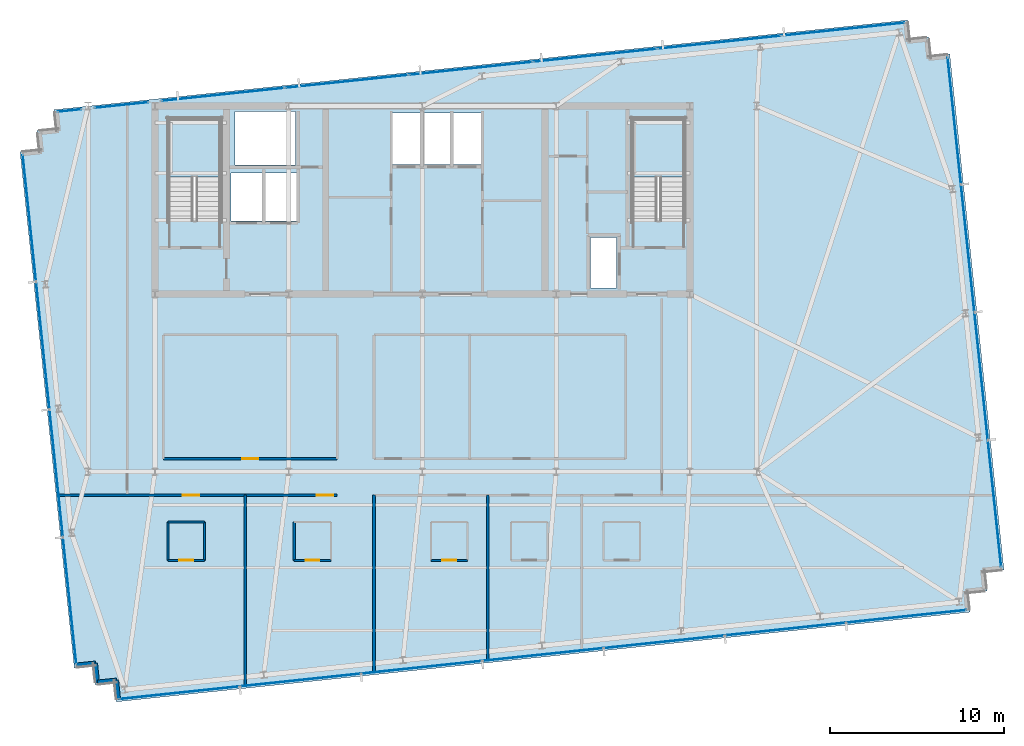
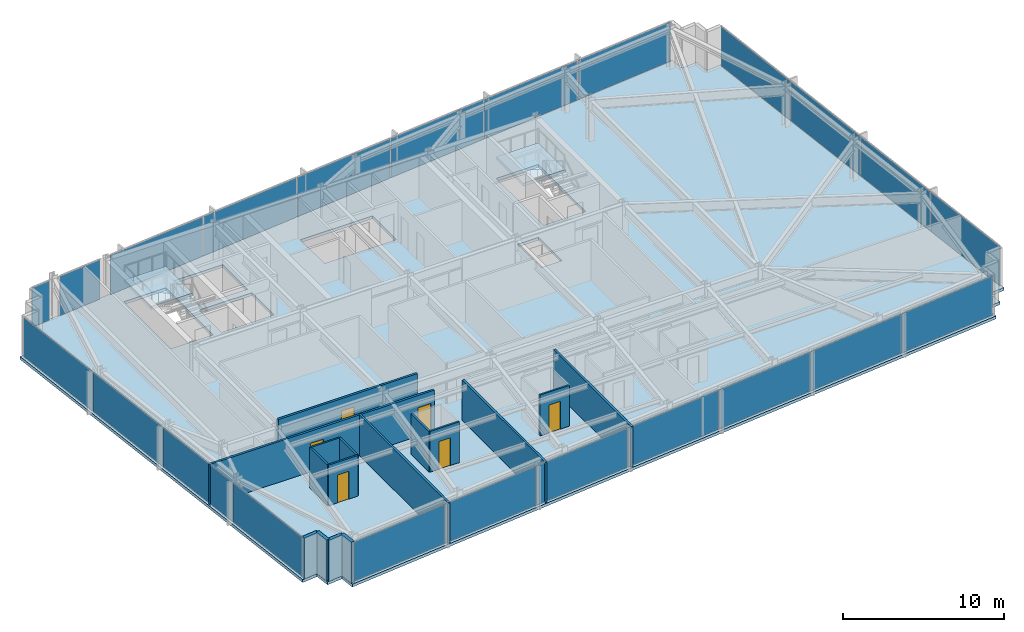
# One storey, part 26 of 33: 23 plates, 16 walls, 6 doors, 3 slabs, 6 openings, 8 elements without a shape of their own.
"""IFC4 building model written with IfcOpenShell, lengths in metres."""

from ifc_helpers import new_model, si_unit, direction, frame, frame_2d, origin, origin_2d, place, context, subcontext, project, spatial, polyline, rectangle, outline, extrude, material, layer, layer_set, type_object, element, fill, aggregate, save


model = new_model("IFC4")

# Units and contexts
model_context = context("Model", 3, precision=1e-05, world=origin(), true_north=direction((0.0, 1.0)))
body_context = subcontext(model_context, "Body", "Model", "MODEL_VIEW")
ifc_project = project(units=[si_unit("LENGTHUNIT", "METRE"), si_unit("AREAUNIT", "SQUARE_METRE"), si_unit("VOLUMEUNIT", "CUBIC_METRE"), si_unit("PLANEANGLEUNIT", "RADIAN"), si_unit("MASSUNIT", "GRAM", prefix="KILO")], contexts=[model_context])

# Site, building, storey
site_placement = place(None, origin())
site = spatial("IfcSite", under=ifc_project, at=site_placement, CompositionType="ELEMENT")
building_placement = place(site_placement, origin())
building = spatial("IfcBuilding", under=site, at=building_placement, Name="Yelkora Congress Tower", CompositionType="ELEMENT")
storey_placement = place(building_placement, frame((0.0, 0.0, 224.300048828125)))
storey = spatial("IfcBuildingStorey", under=building, at=storey_placement, Name="L62", CompositionType="ELEMENT", Elevation=224.300048828125)

# Curtain wall, plates
ifc_material_1 = material(Name="Anodised aluminium and insulated glass", Category="aluminium")
curtain_wall_type = type_object("IfcCurtainWallType", Name="CW-SYS-B4", PredefinedType="NOTDEFINED", material=ifc_material_1)
curtain_wall_1_placement = place(storey_placement, origin())
curtain_wall_1 = element("IfcCurtainWall", 1, at=curtain_wall_1_placement, inside=storey, type_object=curtain_wall_type, Name="L62 Unitised Curtain Wall 5", PredefinedType="NOTDEFINED")
ifc_material_2 = material(Name="Triple-silver diplomatic glass unit B4", Category="glass")
ifc_layer_1 = layer(ifc_material_2, 0.035888671875)
ifc_layer_set_1 = layer_set([ifc_layer_1], Name="Triple-silver diplomatic glass unit B4")
plate_type = type_object("IfcPlateType", Name="PLT-PN-B4", PredefinedType="CURTAIN_PANEL", material=ifc_layer_set_1)
plate_1_placement = place(storey_placement, frame((18.139404296875, 17.7724609375, 0.06005859375), z_axis=(0.0, 0.0, 1.0), x_axis=(-0.104526079034, 0.994522145958, 0.0)))
plate_1 = element("IfcPlate", 2, at=plate_1_placement, type_object=plate_type, Name="CW-B4 panel 1.1", PredefinedType="CURTAIN_PANEL", context=body_context, shape_type="SweptSolid", body=[
    extrude(rectangle(XDim=7.282470703125, YDim=0.035888671875, at=origin_2d()), origin(), (0.0, 0.0, 1.0), 2.9599609375),
])
plate_2_placement = place(storey_placement, frame((17.36962890625, 25.095703125, 0.06005859375), z_axis=(0.0, 0.0, 1.0), x_axis=(-0.104526079034, 0.994522145958, 0.0)))
plate_2 = element("IfcPlate", 3, at=plate_2_placement, type_object=plate_type, Name="CW-B4 panel 2.1", PredefinedType="CURTAIN_PANEL", context=body_context, shape_type="SweptSolid", body=[
    extrude(rectangle(XDim=7.31494140625, YDim=0.035888671875, at=origin_2d()), origin(), (0.0, 0.0, 1.0), 2.9599609375),
])
plate_3_placement = place(storey_placement, frame((16.59814453125, 32.435302734375, 0.06005859375), z_axis=(0.0, 0.0, 1.0), x_axis=(-0.104526079034, 0.994522145958, 0.0)))
plate_3 = element("IfcPlate", 4, at=plate_3_placement, type_object=plate_type, Name="CW-B4 panel 3.1", PredefinedType="CURTAIN_PANEL", context=body_context, shape_type="SweptSolid", body=[
    extrude(rectangle(XDim=7.31494140625, YDim=0.035888671875, at=origin_2d()), origin(), (0.0, 0.0, 1.0), 2.9599609375),
])
plate_4_placement = place(storey_placement, frame((15.82861328125, 39.7587890625, 0.06005859375), z_axis=(0.0, 0.0, 1.0), x_axis=(-0.104526079034, 0.994522145958, 0.0)))
plate_4 = element("IfcPlate", 5, at=plate_4_placement, type_object=plate_type, Name="CW-B4 panel 4.1", PredefinedType="CURTAIN_PANEL", context=body_context, shape_type="SweptSolid", body=[
    extrude(rectangle(XDim=7.282470703125, YDim=0.035888671875, at=origin_2d()), origin(), (0.0, 0.0, 1.0), 2.9599609375),
])
aggregate(curtain_wall_1, [plate_1, plate_2, plate_3, plate_4])

# Curtain wall, plate
curtain_wall_2_placement = place(storey_placement, origin())
curtain_wall_2 = element("IfcCurtainWall", 6, at=curtain_wall_2_placement, inside=storey, type_object=curtain_wall_type, Name="L62 Unitised Curtain Wall 10 (1)", PredefinedType="NOTDEFINED")
plate_5_placement = place(storey_placement, frame((18.136474609375, 45.940185546875, 0.06005859375), z_axis=(0.0, 0.0, 1.0), x_axis=(0.994523910137, 0.104509292244, 0.0)))
plate_5 = element("IfcPlate", 7, at=plate_5_placement, type_object=plate_type, Name="CW-B4 panel 1.1", PredefinedType="CURTAIN_PANEL", context=body_context, shape_type="SweptSolid", body=[
    extrude(rectangle(XDim=1.35302734375, YDim=0.035888671875, at=origin_2d()), origin(), (0.0, 0.0, 1.0), 2.9599609375),
])
aggregate(curtain_wall_2, [plate_5])

curtain_wall_3_placement = place(storey_placement, origin())
curtain_wall_3 = element("IfcCurtainWall", 8, at=curtain_wall_3_placement, inside=storey, type_object=curtain_wall_type, Name="L62 Unitised Curtain Wall 10 (2)", PredefinedType="NOTDEFINED")
plate_6_placement = place(storey_placement, frame((21.1201171875, 46.253662109375, 0.06005859375), z_axis=(0.0, 0.0, 1.0), x_axis=(0.994524239868, 0.104506154437, 0.0)))
plate_6 = element("IfcPlate", 9, at=plate_6_placement, type_object=plate_type, Name="CW-B4 panel 1.1", PredefinedType="CURTAIN_PANEL", context=body_context, shape_type="SweptSolid", body=[
    extrude(rectangle(XDim=3.075439453125, YDim=0.035888671875, at=origin_2d()), origin(), (0.0, 0.0, 1.0), 2.9599609375),
])
aggregate(curtain_wall_3, [plate_6])

# Curtain wall, plates
curtain_wall_4_placement = place(storey_placement, origin())
curtain_wall_4 = element("IfcCurtainWall", 10, at=curtain_wall_4_placement, inside=storey, type_object=curtain_wall_type, Name="L62 Unitised Curtain Wall 10 (3)", PredefinedType="NOTDEFINED")
plate_7_placement = place(storey_placement, frame((26.947509765625, 46.8662109375, 0.06005859375), z_axis=(0.0, 0.0, 1.0), x_axis=(0.994521973066, 0.104527724021, 0.0)))
plate_7 = element("IfcPlate", 11, at=plate_7_placement, type_object=plate_type, Name="CW-B4 panel 1.1", PredefinedType="CURTAIN_PANEL", context=body_context, shape_type="SweptSolid", body=[
    extrude(rectangle(XDim=7.072509765625, YDim=0.035888671875, at=origin_2d()), origin(), (0.0, 0.0, 1.0), 2.9599609375),
])
plate_8_placement = place(storey_placement, frame((34.06201171875, 47.614013671875, 0.06005859375), z_axis=(0.0, 0.0, 1.0), x_axis=(0.994521973066, 0.104527724021, 0.0)))
plate_8 = element("IfcPlate", 12, at=plate_8_placement, type_object=plate_type, Name="CW-B4 panel 2.1", PredefinedType="CURTAIN_PANEL", context=body_context, shape_type="SweptSolid", body=[
    extrude(rectangle(XDim=7.10498046875, YDim=0.035888671875, at=origin_2d()), origin(), (0.0, 0.0, 1.0), 2.9599609375),
])
plate_9_placement = place(storey_placement, frame((41.19287109375, 48.363525390625, 0.06005859375), z_axis=(0.0, 0.0, 1.0), x_axis=(0.994521973066, 0.104527724021, 0.0)))
plate_9 = element("IfcPlate", 13, at=plate_9_placement, type_object=plate_type, Name="CW-B4 panel 3.1", PredefinedType="CURTAIN_PANEL", context=body_context, shape_type="SweptSolid", body=[
    extrude(rectangle(XDim=7.10498046875, YDim=0.035888671875, at=origin_2d()), origin(), (0.0, 0.0, 1.0), 2.9599609375),
])
plate_10_placement = place(storey_placement, frame((48.32373046875, 49.113037109375, 0.06005859375), z_axis=(0.0, 0.0, 1.0), x_axis=(0.994521973066, 0.104527724021, 0.0)))
plate_10 = element("IfcPlate", 14, at=plate_10_placement, type_object=plate_type, Name="CW-B4 panel 4.1", PredefinedType="CURTAIN_PANEL", context=body_context, shape_type="SweptSolid", body=[
    extrude(rectangle(XDim=7.10498046875, YDim=0.035888671875, at=origin_2d()), origin(), (0.0, 0.0, 1.0), 2.9599609375),
])
plate_11_placement = place(storey_placement, frame((55.454345703125, 49.8623046875, 0.06005859375), z_axis=(0.0, 0.0, 1.0), x_axis=(0.994521973066, 0.104527724021, 0.0)))
plate_11 = element("IfcPlate", 15, at=plate_11_placement, type_object=plate_type, Name="CW-B4 panel 5.1", PredefinedType="CURTAIN_PANEL", context=body_context, shape_type="SweptSolid", body=[
    extrude(rectangle(XDim=7.10498046875, YDim=0.035888671875, at=origin_2d()), origin(), (0.0, 0.0, 1.0), 2.9599609375),
])
plate_12_placement = place(storey_placement, frame((62.56884765625, 50.610107421875, 0.06005859375), z_axis=(0.0, 0.0, 1.0), x_axis=(0.994521973066, 0.104527724021, 0.0)))
plate_12 = element("IfcPlate", 16, at=plate_12_placement, type_object=plate_type, Name="CW-B4 panel 6.1", PredefinedType="CURTAIN_PANEL", context=body_context, shape_type="SweptSolid", body=[
    extrude(rectangle(XDim=7.072509765625, YDim=0.035888671875, at=origin_2d()), origin(), (0.0, 0.0, 1.0), 2.9599609375),
])
aggregate(curtain_wall_4, [plate_7, plate_8, plate_9, plate_10, plate_11, plate_12])

curtain_wall_5_placement = place(storey_placement, origin())
curtain_wall_5 = element("IfcCurtainWall", 17, at=curtain_wall_5_placement, inside=storey, type_object=curtain_wall_type, Name="L62 Unitised Curtain Wall 15", PredefinedType="NOTDEFINED")
plate_13_placement = place(storey_placement, frame((68.955810546875, 45.3427734375, 0.06005859375), z_axis=(0.0, 0.0, 1.0), x_axis=(0.104525726898, -0.994522182968, 0.0)))
plate_13 = element("IfcPlate", 18, at=plate_13_placement, type_object=plate_type, Name="CW-B4 panel 1.1", PredefinedType="CURTAIN_PANEL", context=body_context, shape_type="SweptSolid", body=[
    extrude(rectangle(XDim=7.282470703125, YDim=0.035888671875, at=origin_2d()), origin(), (0.0, 0.0, 1.0), 2.9599609375),
])
plate_14_placement = place(storey_placement, frame((69.7255859375, 38.019287109375, 0.06005859375), z_axis=(0.0, 0.0, 1.0), x_axis=(0.104525726898, -0.994522182968, 0.0)))
plate_14 = element("IfcPlate", 19, at=plate_14_placement, type_object=plate_type, Name="CW-B4 panel 2.1", PredefinedType="CURTAIN_PANEL", context=body_context, shape_type="SweptSolid", body=[
    extrude(rectangle(XDim=7.31494140625, YDim=0.035888671875, at=origin_2d()), origin(), (0.0, 0.0, 1.0), 2.9599609375),
])
plate_15_placement = place(storey_placement, frame((70.496826171875, 30.6796875, 0.06005859375), z_axis=(0.0, 0.0, 1.0), x_axis=(0.104525726898, -0.994522182968, 0.0)))
plate_15 = element("IfcPlate", 20, at=plate_15_placement, type_object=plate_type, Name="CW-B4 panel 3.1", PredefinedType="CURTAIN_PANEL", context=body_context, shape_type="SweptSolid", body=[
    extrude(rectangle(XDim=7.31494140625, YDim=0.035888671875, at=origin_2d()), origin(), (0.0, 0.0, 1.0), 2.9599609375),
])
plate_16_placement = place(storey_placement, frame((71.2666015625, 23.356201171875, 0.06005859375), z_axis=(0.0, 0.0, 1.0), x_axis=(0.104525726898, -0.994522182968, 0.0)))
plate_16 = element("IfcPlate", 21, at=plate_16_placement, type_object=plate_type, Name="CW-B4 panel 4.1", PredefinedType="CURTAIN_PANEL", context=body_context, shape_type="SweptSolid", body=[
    extrude(rectangle(XDim=7.282470703125, YDim=0.035888671875, at=origin_2d()), origin(), (0.0, 0.0, 1.0), 2.9599609375),
])
aggregate(curtain_wall_5, [plate_13, plate_14, plate_15, plate_16])

curtain_wall_6_placement = place(storey_placement, origin())
curtain_wall_6 = element("IfcCurtainWall", 22, at=curtain_wall_6_placement, inside=storey, type_object=curtain_wall_type, Name="L62 Unitised Curtain Wall 20", PredefinedType="NOTDEFINED")
plate_17_placement = place(storey_placement, frame((66.19775390625, 16.884765625, 0.06005859375), z_axis=(0.0, 0.0, 1.0), x_axis=(-0.994522084373, -0.104526664994, 0.0)))
plate_17 = element("IfcPlate", 23, at=plate_17_placement, type_object=plate_type, Name="CW-B4 panel 1.1", PredefinedType="CURTAIN_PANEL", context=body_context, shape_type="SweptSolid", body=[
    extrude(rectangle(XDim=6.9052734375, YDim=0.035888671875, at=origin_2d()), origin(), (0.0, 0.0, 1.0), 2.9599609375),
])
plate_18_placement = place(storey_placement, frame((59.249267578125, 16.154541015625, 0.06005859375), z_axis=(0.0, 0.0, 1.0), x_axis=(-0.994522084373, -0.104526664994, 0.0)))
plate_18 = element("IfcPlate", 24, at=plate_18_placement, type_object=plate_type, Name="CW-B4 panel 2.1", PredefinedType="CURTAIN_PANEL", context=body_context, shape_type="SweptSolid", body=[
    extrude(rectangle(XDim=6.937744140625, YDim=0.035888671875, at=origin_2d()), origin(), (0.0, 0.0, 1.0), 2.9599609375),
])
plate_19_placement = place(storey_placement, frame((52.284912109375, 15.42236328125, 0.06005859375), z_axis=(0.0, 0.0, 1.0), x_axis=(-0.994522084373, -0.104526664994, 0.0)))
plate_19 = element("IfcPlate", 25, at=plate_19_placement, type_object=plate_type, Name="CW-B4 panel 3.1", PredefinedType="CURTAIN_PANEL", context=body_context, shape_type="SweptSolid", body=[
    extrude(rectangle(XDim=6.937744140625, YDim=0.035888671875, at=origin_2d()), origin(), (0.0, 0.0, 1.0), 2.9599609375),
])
plate_20_placement = place(storey_placement, frame((45.3203125, 14.6904296875, 0.06005859375), z_axis=(0.0, 0.0, 1.0), x_axis=(-0.994522084373, -0.104526664994, 0.0)))
plate_20 = element("IfcPlate", 26, at=plate_20_placement, type_object=plate_type, Name="CW-B4 panel 4.1", PredefinedType="CURTAIN_PANEL", context=body_context, shape_type="SweptSolid", body=[
    extrude(rectangle(XDim=6.937744140625, YDim=0.035888671875, at=origin_2d()), origin(), (0.0, 0.0, 1.0), 2.9599609375),
])
plate_21_placement = place(storey_placement, frame((38.35595703125, 13.95849609375, 0.06005859375), z_axis=(0.0, 0.0, 1.0), x_axis=(-0.994522084373, -0.104526664994, 0.0)))
plate_21 = element("IfcPlate", 27, at=plate_21_placement, type_object=plate_type, Name="CW-B4 panel 5.1", PredefinedType="CURTAIN_PANEL", context=body_context, shape_type="SweptSolid", body=[
    extrude(rectangle(XDim=6.937744140625, YDim=0.035888671875, at=origin_2d()), origin(), (0.0, 0.0, 1.0), 2.9599609375),
])
plate_22_placement = place(storey_placement, frame((31.391357421875, 13.2265625, 0.06005859375), z_axis=(0.0, 0.0, 1.0), x_axis=(-0.994522084373, -0.104526664994, 0.0)))
plate_22 = element("IfcPlate", 28, at=plate_22_placement, type_object=plate_type, Name="CW-B4 panel 6.1", PredefinedType="CURTAIN_PANEL", context=body_context, shape_type="SweptSolid", body=[
    extrude(rectangle(XDim=6.937744140625, YDim=0.035888671875, at=origin_2d()), origin(), (0.0, 0.0, 1.0), 2.9599609375),
])
plate_23_placement = place(storey_placement, frame((24.443115234375, 12.49609375, 0.06005859375), z_axis=(0.0, 0.0, 1.0), x_axis=(-0.994522084373, -0.104526664994, 0.0)))
plate_23 = element("IfcPlate", 29, at=plate_23_placement, type_object=plate_type, Name="CW-B4 panel 7.1", PredefinedType="CURTAIN_PANEL", context=body_context, shape_type="SweptSolid", body=[
    extrude(rectangle(XDim=6.9052734375, YDim=0.035888671875, at=origin_2d()), origin(), (0.0, 0.0, 1.0), 2.9599609375),
])
aggregate(curtain_wall_6, [plate_17, plate_18, plate_19, plate_20, plate_21, plate_22, plate_23])

# Stair, slab
ifc_material_3 = material(Name="Concrete C40/50", Category="concrete")
stair_type = type_object("IfcStairType", Name="STAIR-HT-1420-R20-165", PredefinedType="HALF_TURN_STAIR", material=ifc_material_3)
stair_1_placement = place(storey_placement, origin())
stair_1 = element("IfcStair", 30, at=stair_1_placement, inside=storey, type_object=stair_type, Name="West Core Protected Exit Stair ST-01 (L62)", PredefinedType="HALF_TURN_STAIR")
ifc_layer_2 = layer(ifc_material_3, 0.219970703125)
ifc_layer_set_2 = layer_set([ifc_layer_2], Name="Concrete C40/50")
slab_type_1 = type_object("IfcSlabType", Name="SLAB-LANDING-220", PredefinedType="LANDING", material=ifc_layer_set_2)
slab_1_placement = place(storey_placement, frame((0.0, 0.0, 1.429931640625)))
slab_1 = element("IfcSlab", 31, at=slab_1_placement, type_object=slab_type_1, Name="ST-01 L62 Half Landing 1", PredefinedType="LANDING", context=body_context, shape_type="SweptSolid", body=[
    extrude(outline(polyline([(26.820068359375, 42.1201171875), (26.820068359375, 45.469970703125), (23.820068359375, 45.469970703125), (23.820068359375, 42.1201171875), (26.820068359375, 42.1201171875)])), origin(), (0.0, 0.0, 1.0), 0.219970703125),
])
aggregate(stair_1, [slab_1])

stair_2_placement = place(storey_placement, origin())
stair_2 = element("IfcStair", 32, at=stair_2_placement, inside=storey, type_object=stair_type, Name="East Core Protected Exit Stair ST-02 (L62)", PredefinedType="HALF_TURN_STAIR")
slab_2_placement = place(storey_placement, frame((0.0, 0.0, 1.429931640625)))
slab_2 = element("IfcSlab", 33, at=slab_2_placement, type_object=slab_type_1, Name="ST-02 L62 Half Landing 1", PredefinedType="LANDING", context=body_context, shape_type="SweptSolid", body=[
    extrude(outline(polyline([(53.4599609375, 42.1201171875), (53.4599609375, 45.469970703125), (50.4599609375, 45.469970703125), (50.4599609375, 42.1201171875), (53.4599609375, 42.1201171875)])), origin(), (0.0, 0.0, 1.0), 0.219970703125),
])
aggregate(stair_2, [slab_2])

# Slab
ifc_layer_3 = layer(ifc_material_3, 0.219970703125)
ifc_layer_set_3 = layer_set([ifc_layer_3], Name="Concrete C40/50")
slab_type_2 = type_object("IfcSlabType", Name="SLAB-TWR-220", PredefinedType="FLOOR", material=ifc_layer_set_3)
slab_3_placement = place(storey_placement, frame((0.0, 0.0, -0.219970703125)))
element("IfcSlab", 34, at=slab_3_placement, inside=storey, type_object=slab_type_2, Name="L62 Structural Floor Slab", PredefinedType="FLOOR", context=body_context, shape_type="SweptSolid", body=[
    extrude(outline(polyline([(20.820068359375, 11.974609375), (69.85009765625, 17.127685546875), (69.735107421875, 18.2216796875), (70.828857421875, 18.3369140625), (70.714111328125, 19.430908203125), (71.807861328125, 19.545654296875), (68.693115234375, 49.1826171875), (67.59912109375, 49.0673828125), (67.48388671875, 50.16162109375), (66.39013671875, 50.04638671875), (66.275146484375, 51.140380859375), (17.2451171875, 45.9873046875), (17.360107421875, 44.893310546875), (16.26611328125, 44.7783203125), (16.381103515625, 43.684326171875), (15.287109375, 43.5693359375), (18.402099609375, 13.9326171875), (19.49609375, 14.047607421875), (19.611083984375, 12.95361328125), (20.705078125, 13.068603515625), (20.820068359375, 11.974609375)]), holes=[polyline([(23.820068359375, 39.6298828125), (26.820068359375, 39.6298828125), (26.820068359375, 45.469970703125), (23.820068359375, 45.469970703125), (23.820068359375, 39.6298828125)]), polyline([(50.4599609375, 39.6298828125), (53.4599609375, 39.6298828125), (53.4599609375, 45.469970703125), (50.4599609375, 45.469970703125), (50.4599609375, 39.6298828125)]), polyline([(48.050048828125, 35.75), (49.550048828125, 35.75), (49.550048828125, 38.64990234375), (48.050048828125, 38.64990234375), (48.050048828125, 35.75)]), polyline([(36.64990234375, 42.85009765625), (41.800048828125, 42.85009765625), (41.800048828125, 45.800048828125), (36.64990234375, 45.800048828125), (36.64990234375, 42.85009765625)]), polyline([(27.419921875, 39.60009765625), (31.179931640625, 39.60009765625), (31.179931640625, 42.35009765625), (27.419921875, 42.35009765625), (27.419921875, 39.60009765625)]), polyline([(27.64990234375, 42.820068359375), (31.1201171875, 42.820068359375), (31.1201171875, 45.8798828125), (27.64990234375, 45.8798828125), (27.64990234375, 42.820068359375)])]), origin(), (0.0, 0.0, 1.0), 0.219970703125),
])

# Walls
ifc_layer_4 = layer(ifc_material_3, 0.239990234375)
ifc_layer_set_4 = layer_set([ifc_layer_4], Name="Concrete C40/50")
wall_type_1 = type_object("IfcWallType", Name="WALL-EXT-LIMESTONE-240", PredefinedType="SOLIDWALL", material=ifc_layer_set_4)
for number, where, z_axis, x_axis, name in (
    (35, (20.944580078125, 12.12841796875, 0.0), (0.0, 0.0, 1.0), (-0.104534592565, 0.994521251134, 0.0), "L62 Serrated Corner Limestone Pier 1"),
    (36, (20.82958984375, 13.222412109375, 0.0), (0.0, 0.0, 1.0), (-0.994521251134, -0.104534592565, 0.0), "L62 Serrated Corner Limestone Pier 2"),
    (37, (19.735595703125, 13.107421875, 0.0), (0.0, 0.0, 1.0), (-0.104534592565, 0.994521251134, 0.0), "L62 Serrated Corner Limestone Pier 3"),
    (38, (19.62060546875, 14.201416015625, 0.0), (0.0, 0.0, 1.0), (-0.994521251134, -0.104534592565, 0.0), "L62 Serrated Corner Limestone Pier 4"),
):
    element("IfcWall", number, at=place(storey_placement, frame(where, z_axis=z_axis, x_axis=x_axis)), inside=storey, type_object=wall_type_1, Name=name, PredefinedType="SOLIDWALL", context=body_context, shape_type="SweptSolid", body=[
        extrude(rectangle(XDim=1.10009765625, YDim=0.239990234375, at=frame_2d((0.550048828125, 0.0))), origin(), (0.0, 0.0, 1.0), 3.079833984375),
    ])
ifc_material_4 = material(Name="Moisture-resistant gypsum partition", Category="gypsum")
ifc_layer_5 = layer(ifc_material_4, 0.1201171875)
ifc_layer_set_5 = layer_set([ifc_layer_5], Name="Moisture-resistant gypsum partition")
wall_type_2 = type_object("IfcWallType", Name="WALL-INT-120-NR", PredefinedType="PARTITIONING", material=ifc_layer_set_5)
wall_1_placement = place(storey_placement, frame((23.779052734375, 22.300048828125, 0.0), z_axis=(0.0, 0.0, 1.0), x_axis=(1.0, 0.0, 0.0)))
element("IfcWall", 39, at=wall_1_placement, inside=storey, type_object=wall_type_2, Name="L62 Partition Wall 23", PredefinedType="PARTITIONING", context=body_context, shape_type="SweptSolid", body=[
    extrude(rectangle(XDim=2.099853515625, YDim=0.1201171875, at=frame_2d((1.0498046875, 0.0))), origin(), (0.0, 0.0, 1.0), 3.079833984375),
])
for number, where, z_axis, x_axis, name in (
    (40, (23.779052734375, 20.10009765625, 0.0), (0.0, 0.0, 1.0), (0.0, 1.0, 0.0), "L62 Partition Wall 24"),
    (41, (25.87890625, 20.10009765625, 0.0), (0.0, 0.0, 1.0), (0.0, 1.0, 0.0), "L62 Partition Wall 25"),
):
    element("IfcWall", number, at=place(storey_placement, frame(where, z_axis=z_axis, x_axis=x_axis)), inside=storey, type_object=wall_type_2, Name=name, PredefinedType="PARTITIONING", context=body_context, shape_type="SweptSolid", body=[
        extrude(rectangle(XDim=2.199951171875, YDim=0.1201171875, at=frame_2d((1.10009765625, 0.0))), origin(), (0.0, 0.0, 1.0), 3.079833984375),
    ])

# Wall, opening, door
wall_2_placement = place(storey_placement, frame((23.779052734375, 20.10009765625, 0.0), z_axis=(0.0, 0.0, 1.0), x_axis=(1.0, 0.0, 0.0)))
wall_2 = element("IfcWall", 42, at=wall_2_placement, inside=storey, type_object=wall_type_2, Name="L62 Partition Wall 26", PredefinedType="PARTITIONING", context=body_context, shape_type="SweptSolid", body=[
    extrude(rectangle(XDim=2.099853515625, YDim=0.1201171875, at=frame_2d((1.0498046875, 0.0))), origin(), (0.0, 0.0, 1.0), 3.079833984375),
])
opening_1_placement = place(wall_2_placement, frame((0.64990234375, 0.0, 0.0)))
opening_1 = element("IfcOpeningElement", 43, at=opening_1_placement, cuts=wall_2, Name="Opening DR-080B", PredefinedType="OPENING", context=body_context, shape_type="SweptSolid", body=[
    extrude(rectangle(XDim=0.800048828125, YDim=2.10009765625, at=frame_2d((0.39990234375, 1.050048828125))), frame((0.0, 0.070068359375, 0.0), z_axis=(0.0, -1.0, 0.0), x_axis=(1.0, 0.0, 0.0)), (0.0, 0.0, 1.0), 0.14013671875),
])
ifc_material_5 = material(Name="Moisture-sealed en-suite timber door", Category="wood")
door_type_1 = type_object("IfcDoorType", Name="DOOR-BATH-800", OperationType="NOTDEFINED", PredefinedType="DOOR", material=ifc_material_5)
door_1_placement = place(opening_1_placement, origin())
door_1 = element("IfcDoor", 44, at=door_1_placement, inside=storey, type_object=door_type_1, Name="L62 En-suite Door 1", OperationType="SINGLE_SWING_RIGHT", OverallHeight=2.10009765625, OverallWidth=0.800048828125, PredefinedType="DOOR", context=body_context, shape_type="SweptSolid", body=[
    extrude(rectangle(XDim=0.800048828125, YDim=2.10009765625, at=frame_2d((0.39990234375, 1.050048828125))), frame((0.0, 0.02490234375, 0.0), z_axis=(0.0, -1.0, 0.0), x_axis=(1.0, 0.0, 0.0)), (0.0, 0.0, 1.0), 0.050048828125),
])
fill(opening_1, door_1)

# Wall
wall_3_placement = place(storey_placement, frame((31.0400390625, 20.10009765625, 0.0), z_axis=(0.0, 0.0, 1.0), x_axis=(0.0, 1.0, 0.0)))
element("IfcWall", 45, at=wall_3_placement, inside=storey, type_object=wall_type_2, Name="L62 Partition Wall 28", PredefinedType="PARTITIONING", context=body_context, shape_type="SweptSolid", body=[
    extrude(rectangle(XDim=2.199951171875, YDim=0.1201171875, at=frame_2d((1.10009765625, 0.0))), origin(), (0.0, 0.0, 1.0), 3.079833984375),
])

# Wall, opening, door
wall_4_placement = place(storey_placement, frame((31.0400390625, 20.10009765625, 0.0), z_axis=(0.0, 0.0, 1.0), x_axis=(1.0, 0.0, 0.0)))
wall_4 = element("IfcWall", 46, at=wall_4_placement, inside=storey, type_object=wall_type_2, Name="L62 Partition Wall 30", PredefinedType="PARTITIONING", context=body_context, shape_type="SweptSolid", body=[
    extrude(rectangle(XDim=2.099853515625, YDim=0.1201171875, at=frame_2d((1.0498046875, 0.0))), origin(), (0.0, 0.0, 1.0), 3.079833984375),
])
opening_2_placement = place(wall_4_placement, frame((0.64990234375, 0.0, 0.0)))
opening_2 = element("IfcOpeningElement", 47, at=opening_2_placement, cuts=wall_4, Name="Opening DR-080B", PredefinedType="OPENING", context=body_context, shape_type="SweptSolid", body=[
    extrude(rectangle(XDim=0.800048828125, YDim=2.10009765625, at=frame_2d((0.39990234375, 1.050048828125))), frame((0.0, 0.070068359375, 0.0), z_axis=(0.0, -1.0, 0.0), x_axis=(1.0, 0.0, 0.0)), (0.0, 0.0, 1.0), 0.14013671875),
])
door_2_placement = place(opening_2_placement, origin())
door_2 = element("IfcDoor", 48, at=door_2_placement, inside=storey, type_object=door_type_1, Name="L62 En-suite Door 2", OperationType="SINGLE_SWING_LEFT", OverallHeight=2.10009765625, OverallWidth=0.800048828125, PredefinedType="DOOR", context=body_context, shape_type="SweptSolid", body=[
    extrude(rectangle(XDim=0.800048828125, YDim=2.10009765625, at=frame_2d((0.39990234375, 1.050048828125))), frame((0.0, 0.02490234375, 0.0), z_axis=(0.0, -1.0, 0.0), x_axis=(1.0, 0.0, 0.0)), (0.0, 0.0, 1.0), 0.050048828125),
])
fill(opening_2, door_2)

wall_5_placement = place(storey_placement, frame((38.89990234375, 20.10009765625, 0.0), z_axis=(0.0, 0.0, 1.0), x_axis=(1.0, 0.0, 0.0)))
wall_5 = element("IfcWall", 49, at=wall_5_placement, inside=storey, type_object=wall_type_2, Name="L62 Partition Wall 35", PredefinedType="PARTITIONING", context=body_context, shape_type="SweptSolid", body=[
    extrude(rectangle(XDim=2.10009765625, YDim=0.1201171875, at=frame_2d((1.050048828125, 0.0))), origin(), (0.0, 0.0, 1.0), 3.079833984375),
])
opening_3_placement = place(wall_5_placement, frame((0.64990234375, 0.0, 0.0)))
opening_3 = element("IfcOpeningElement", 50, at=opening_3_placement, cuts=wall_5, Name="Opening DR-080B", PredefinedType="OPENING", context=body_context, shape_type="SweptSolid", body=[
    extrude(rectangle(XDim=0.800048828125, YDim=2.10009765625, at=frame_2d((0.39990234375, 1.050048828125))), frame((0.0, 0.070068359375, 0.0), z_axis=(0.0, -1.0, 0.0), x_axis=(1.0, 0.0, 0.0)), (0.0, 0.0, 1.0), 0.14013671875),
])
door_3_placement = place(opening_3_placement, origin())
door_3 = element("IfcDoor", 51, at=door_3_placement, inside=storey, type_object=door_type_1, Name="L62 En-suite Door 4", OperationType="SINGLE_SWING_RIGHT", OverallHeight=2.10009765625, OverallWidth=0.800048828125, PredefinedType="DOOR", context=body_context, shape_type="SweptSolid", body=[
    extrude(rectangle(XDim=0.800048828125, YDim=2.10009765625, at=frame_2d((0.39990234375, 1.050048828125))), frame((0.0, 0.02490234375, 0.0), z_axis=(0.0, -1.0, 0.0), x_axis=(1.0, 0.0, 0.0)), (0.0, 0.0, 1.0), 0.050048828125),
])
fill(opening_3, door_3)

ifc_material_6 = material(Name="Acoustic metal-stud gypsum partition", Category="gypsum")
ifc_layer_6 = layer(ifc_material_6, 0.14990234375)
ifc_layer_set_6 = layer_set([ifc_layer_6], Name="Acoustic metal-stud gypsum partition")
wall_type_3 = type_object("IfcWallType", Name="WALL-INT-150-NR", PredefinedType="PARTITIONING", material=ifc_layer_set_6)
wall_6_placement = place(storey_placement, frame((23.5400390625, 25.929931640625, 0.0), z_axis=(0.0, 0.0, 1.0), x_axis=(1.0, 0.0, 0.0)))
wall_6 = element("IfcWall", 52, at=wall_6_placement, inside=storey, type_object=wall_type_3, Name="L62 Partition Wall 57", PredefinedType="PARTITIONING", context=body_context, shape_type="SweptSolid", body=[
    extrude(rectangle(XDim=9.949951171875, YDim=0.14990234375, at=frame_2d((4.97509765625, 0.0))), origin(), (0.0, 0.0, 1.0), 3.079833984375),
])
opening_4_placement = place(wall_6_placement, frame((4.52490234375, 0.0, 0.0)))
opening_4 = element("IfcOpeningElement", 53, at=opening_4_placement, cuts=wall_6, Name="Opening DR-090N", PredefinedType="OPENING", context=body_context, shape_type="SweptSolid", body=[
    extrude(rectangle(XDim=0.89990234375, YDim=2.14990234375, at=frame_2d((0.449951171875, 1.074951171875))), frame((0.0, 0.0849609375, 0.0), z_axis=(0.0, -1.0, 0.0), x_axis=(1.0, 0.0, 0.0)), (0.0, 0.0, 1.0), 0.169921875),
])
ifc_material_7 = material(Name="Moisture-resistant laminate door leaf", Category="wood")
door_type_2 = type_object("IfcDoorType", Name="DOOR-INT-900", OperationType="NOTDEFINED", PredefinedType="DOOR", material=ifc_material_7)
door_4_placement = place(opening_4_placement, origin())
door_4 = element("IfcDoor", 54, at=door_4_placement, inside=storey, type_object=door_type_2, Name="L62 Housekeeping & Linen Room Door", OperationType="SINGLE_SWING_RIGHT", OverallHeight=2.14990234375, OverallWidth=0.89990234375, PredefinedType="DOOR", context=body_context, shape_type="SweptSolid", body=[
    extrude(rectangle(XDim=0.89990234375, YDim=2.14990234375, at=frame_2d((0.449951171875, 1.074951171875))), frame((0.0, 0.02490234375, 0.0), z_axis=(0.0, -1.0, 0.0), x_axis=(1.0, 0.0, 0.0)), (0.0, 0.0, 1.0), 0.050048828125),
])
fill(opening_4, door_4)

# Walls
ifc_material_8 = material(Name="Twin-stud fire-rated gypsum partition", Category="gypsum")
ifc_layer_7 = layer(ifc_material_8, 0.14990234375)
ifc_layer_set_7 = layer_set([ifc_layer_7], Name="Twin-stud fire-rated gypsum partition")
wall_type_4 = type_object("IfcWallType", Name="WALL-INT-150-R60", PredefinedType="PARTITIONING", material=ifc_layer_set_7)
wall_7_placement = place(storey_placement, frame((28.218017578125, 12.83251953125, 0.0), z_axis=(0.0, 0.0, 1.0), x_axis=(0.0, 1.0, 0.0)))
element("IfcWall", 55, at=wall_7_placement, inside=storey, type_object=wall_type_4, Name="L62 Partition Wall 31", PredefinedType="PARTITIONING", context=body_context, shape_type="SweptSolid", body=[
    extrude(rectangle(XDim=11.03759765625, YDim=0.14990234375, at=frame_2d((5.518798828125, 0.0))), origin(), (0.0, 0.0, 1.0), 3.079833984375),
])
wall_8_placement = place(storey_placement, frame((35.6201171875, 13.610595703125, 0.0), z_axis=(0.0, 0.0, 1.0), x_axis=(0.0, 1.0, 0.0)))
element("IfcWall", 56, at=wall_8_placement, inside=storey, type_object=wall_type_4, Name="L62 Partition Wall 36", PredefinedType="PARTITIONING", context=body_context, shape_type="SweptSolid", body=[
    extrude(rectangle(XDim=10.259521484375, YDim=0.14990234375, at=frame_2d((5.1298828125, 0.0))), origin(), (0.0, 0.0, 1.0), 3.079833984375),
])
wall_9_placement = place(storey_placement, frame((42.1640625, 14.29833984375, 0.0), z_axis=(0.0, 0.0, 1.0), x_axis=(0.0, 1.0, 0.0)))
element("IfcWall", 57, at=wall_9_placement, inside=storey, type_object=wall_type_4, Name="L62 Partition Wall 41", PredefinedType="PARTITIONING", context=body_context, shape_type="SweptSolid", body=[
    extrude(rectangle(XDim=9.57177734375, YDim=0.14990234375, at=frame_2d((4.785888671875, 0.0))), origin(), (0.0, 0.0, 1.0), 3.079833984375),
])

# Wall, openings, doors
wall_10_placement = place(storey_placement, frame((17.440185546875, 23.85009765625, 0.0), z_axis=(0.0, 0.0, 1.0), x_axis=(1.0, 0.0, 0.0)))
wall_10 = element("IfcWall", 58, at=wall_10_placement, inside=storey, type_object=wall_type_4, Name="L62 South Spine Wall West", PredefinedType="PARTITIONING", context=body_context, shape_type="SweptSolid", body=[
    extrude(rectangle(XDim=16.059814453125, YDim=0.14990234375, at=frame_2d((8.02978515625, 0.0))), origin(), (0.0, 0.0, 1.0), 3.079833984375),
])
opening_5_placement = place(wall_10_placement, frame((7.18994140625, 0.0, 0.0)))
opening_5 = element("IfcOpeningElement", 59, at=opening_5_placement, cuts=wall_10, Name="Opening DR-095F6", PredefinedType="OPENING", context=body_context, shape_type="SweptSolid", body=[
    extrude(rectangle(XDim=0.949951171875, YDim=2.14990234375, at=frame_2d((0.47509765625, 1.074951171875))), frame((0.0, 0.0849609375, 0.0), z_axis=(0.0, -1.0, 0.0), x_axis=(1.0, 0.0, 0.0)), (0.0, 0.0, 1.0), 0.169921875),
])
opening_6_placement = place(wall_10_placement, frame((14.8798828125, 0.0, 0.0)))
opening_6 = element("IfcOpeningElement", 60, at=opening_6_placement, cuts=wall_10, Name="Opening DR-095F6", PredefinedType="OPENING", context=body_context, shape_type="SweptSolid", body=[
    extrude(rectangle(XDim=0.949951171875, YDim=2.14990234375, at=frame_2d((0.47509765625, 1.074951171875))), frame((0.0, 0.0849609375, 0.0), z_axis=(0.0, -1.0, 0.0), x_axis=(1.0, 0.0, 0.0)), (0.0, 0.0, 1.0), 0.169921875),
])
ifc_material_9 = material(Name="Acoustic oak-veneer fire door leaf", Category="wood")
door_type_3 = type_object("IfcDoorType", Name="DOOR-FD60-950", OperationType="NOTDEFINED", PredefinedType="DOOR", material=ifc_material_9)
door_5_placement = place(opening_5_placement, origin())
door_5 = element("IfcDoor", 61, at=door_5_placement, inside=storey, type_object=door_type_3, Name="L62 Diplomatic Suite 01 Entry Door", OperationType="SINGLE_SWING_LEFT", OverallHeight=2.14990234375, OverallWidth=0.949951171875, PredefinedType="DOOR", context=body_context, shape_type="SweptSolid", body=[
    extrude(rectangle(XDim=0.949951171875, YDim=2.14990234375, at=frame_2d((0.47509765625, 1.074951171875))), frame((0.0, 0.02490234375, 0.0), z_axis=(0.0, -1.0, 0.0), x_axis=(1.0, 0.0, 0.0)), (0.0, 0.0, 1.0), 0.050048828125),
])
fill(opening_5, door_5)
door_6_placement = place(opening_6_placement, origin())
door_6 = element("IfcDoor", 62, at=door_6_placement, inside=storey, type_object=door_type_3, Name="L62 Diplomatic Suite 02 Entry Door", OperationType="SINGLE_SWING_RIGHT", OverallHeight=2.14990234375, OverallWidth=0.949951171875, PredefinedType="DOOR", context=body_context, shape_type="SweptSolid", body=[
    extrude(rectangle(XDim=0.949951171875, YDim=2.14990234375, at=frame_2d((0.47509765625, 1.074951171875))), frame((0.0, 0.02490234375, 0.0), z_axis=(0.0, -1.0, 0.0), x_axis=(1.0, 0.0, 0.0)), (0.0, 0.0, 1.0), 0.050048828125),
])
fill(opening_6, door_6)

save(model, "model.ifc")
